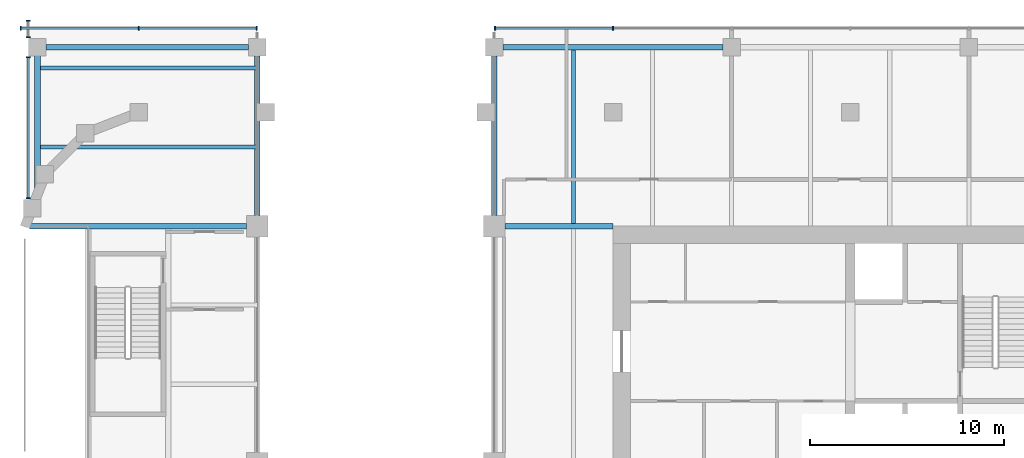
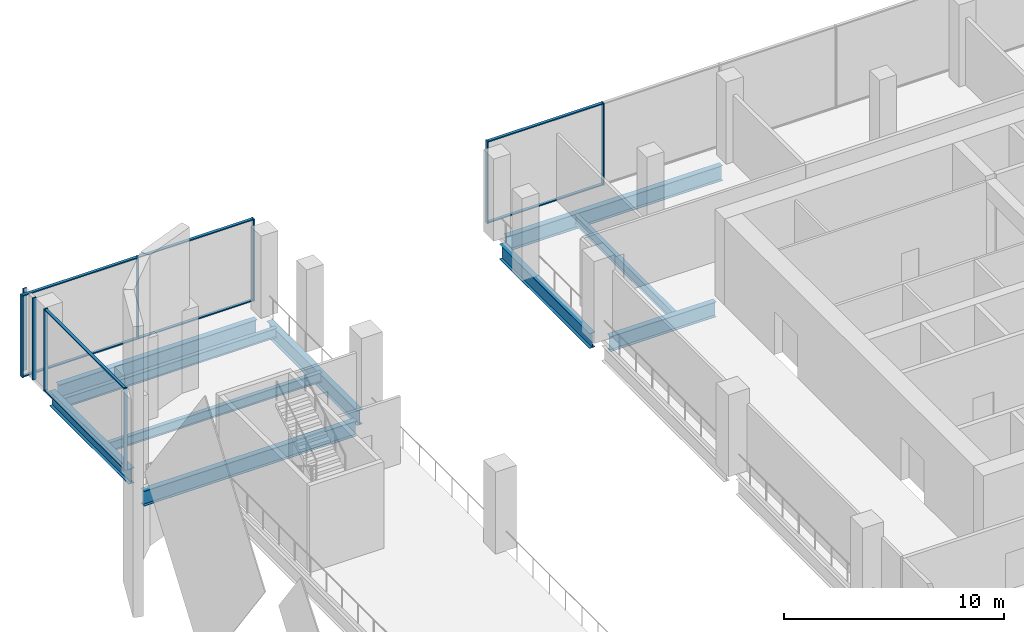
# One storey, part 4 of 33: 17 members, 10 beams, 4 elements without a shape of their own.
"""IFC4 building model written with IfcOpenShell, lengths in metres."""

from ifc_helpers import new_model, si_unit, direction, frame, origin, origin_2d, place, context, subcontext, project, spatial, rectangle, i_section, extrude, material, material_profile, profile_set, type_object, element, aggregate, save


model = new_model("IFC4")

# Units and contexts
model_context = context("Model", 3, precision=1e-05, world=origin(), true_north=direction((0.0, 1.0)))
body_context = subcontext(model_context, "Body", "Model", "MODEL_VIEW")
ifc_project = project(units=[si_unit("LENGTHUNIT", "METRE"), si_unit("AREAUNIT", "SQUARE_METRE"), si_unit("VOLUMEUNIT", "CUBIC_METRE"), si_unit("PLANEANGLEUNIT", "RADIAN"), si_unit("MASSUNIT", "GRAM", prefix="KILO")], contexts=[model_context])

# Site, building, storey
site_placement = place(None, origin())
site = spatial("IfcSite", under=ifc_project, at=site_placement, CompositionType="ELEMENT")
building_placement = place(site_placement, origin())
building = spatial("IfcBuilding", under=site, at=building_placement, Name="Tessera Gate Towers", CompositionType="ELEMENT")
storey_placement = place(building_placement, frame((0.0, 0.0, 7.199951171875)))
storey = spatial("IfcBuildingStorey", under=building, at=storey_placement, Name="L01", CompositionType="ELEMENT", Elevation=7.199951171875)

# Beams
ifc_material_1 = material(Name="Steel 350W", Category="steel")
ifc_material_profile_1 = material_profile(ifc_material_1, i_section(OverallWidth=0.2919921875, OverallDepth=0.8349609375, WebThickness=0.013916015625, FlangeThickness=0.018798828125, at=origin_2d()), Name="W840x176")
ifc_profile_set_1 = profile_set([ifc_material_profile_1], Name="Steel 350W")
beam_type_1 = type_object("IfcBeamType", Name="FLOOR GIRDER W840x176", PredefinedType="BEAM", material=ifc_profile_set_1)
beam_1_placement = place(storey_placement, frame((0.89990234375, 50.5, -0.66748046875), z_axis=(0.0, 1.0, 0.0), x_axis=(-1.0, 0.0, 0.0)))
element("IfcBeam", 1, at=beam_1_placement, inside=storey, type_object=beam_type_1, Name="PD-GD-L01-197", PredefinedType="BEAM", context=body_context, shape_type="SweptSolid", body=[
    extrude(i_section(OverallWidth=0.2919921875, OverallDepth=0.8349609375, WebThickness=0.013916015625, FlangeThickness=0.018798828125, at=origin_2d()), origin(), (0.0, 0.0, 1.0), 7.199951171875),
])
beam_2_placement = place(storey_placement, frame((0.4990234375, 48.800048828125, -0.66748046875), z_axis=(1.0, 0.0, 0.0), x_axis=(0.0, 1.0, 0.0)))
element("IfcBeam", 2, at=beam_2_placement, inside=storey, type_object=beam_type_1, Name="PD-GD-L01-220", PredefinedType="BEAM", context=body_context, shape_type="SweptSolid", body=[
    extrude(i_section(OverallWidth=0.2919921875, OverallDepth=0.8349609375, WebThickness=0.013916015625, FlangeThickness=0.018798828125, at=origin_2d()), origin(), (0.0, 0.0, 1.0), 11.15087890625),
])
beam_3_placement = place(storey_placement, frame((24.949951171875, 48.800048828125, -0.66748046875), z_axis=(1.0, 0.0, 0.0), x_axis=(0.0, 1.0, 0.0)))
element("IfcBeam", 3, at=beam_3_placement, inside=storey, type_object=beam_type_1, Name="PD-GD-L01-221", PredefinedType="BEAM", context=body_context, shape_type="SweptSolid", body=[
    extrude(i_section(OverallWidth=0.2919921875, OverallDepth=0.8349609375, WebThickness=0.013916015625, FlangeThickness=0.018798828125, at=origin_2d()), origin(), (0.0, 0.0, 1.0), 5.549072265625),
])
beam_4_placement = place(storey_placement, frame((1.35009765625, 58.0, -0.66748046875), z_axis=(1.0, 0.0, 0.0), x_axis=(0.0, 1.0, 0.0)))
element("IfcBeam", 4, at=beam_4_placement, inside=storey, type_object=beam_type_1, Name="PD-GD-L01-227", PredefinedType="BEAM", context=body_context, shape_type="SweptSolid", body=[
    extrude(i_section(OverallWidth=0.2919921875, OverallDepth=0.8349609375, WebThickness=0.013916015625, FlangeThickness=0.018798828125, at=origin_2d()), origin(), (0.0, 0.0, 1.0), 10.39990234375),
])
beam_5_placement = place(storey_placement, frame((24.85009765625, 58.0, -0.66748046875), z_axis=(1.0, 0.0, 0.0), x_axis=(0.0, 1.0, 0.0)))
element("IfcBeam", 5, at=beam_5_placement, inside=storey, type_object=beam_type_1, Name="PD-GD-L01-228", PredefinedType="BEAM", context=body_context, shape_type="SweptSolid", body=[
    extrude(i_section(OverallWidth=0.2919921875, OverallDepth=0.8349609375, WebThickness=0.013916015625, FlangeThickness=0.018798828125, at=origin_2d()), origin(), (0.0, 0.0, 1.0), 11.2998046875),
])
for number, where, z_axis, x_axis, name in (
    (6, (12.199951171875, 49.35009765625, -0.66748046875), (0.0, 1.0, 0.0), (-1.0, 0.0, 0.0), "PD-GD-L01-238"),
    (7, (24.39990234375, 49.35009765625, -0.66748046875), (0.0, 1.0, 0.0), (-1.0, 0.0, 0.0), "PD-GD-L01-242"),
):
    element("IfcBeam", number, at=place(storey_placement, frame(where, z_axis=z_axis, x_axis=x_axis)), inside=storey, type_object=beam_type_1, Name=name, PredefinedType="BEAM", context=body_context, shape_type="SweptSolid", body=[
        extrude(i_section(OverallWidth=0.2919921875, OverallDepth=0.8349609375, WebThickness=0.013916015625, FlangeThickness=0.018798828125, at=origin_2d()), origin(), (0.0, 0.0, 1.0), 8.199951171875),
    ])
ifc_material_2 = material(Name="Steel 350W", Category="steel")
ifc_material_profile_2 = material_profile(ifc_material_2, i_section(OverallWidth=0.208984375, OverallDepth=0.528076171875, WebThickness=0.009521484375, FlangeThickness=0.01318359375, at=origin_2d()), Name="W530x82")
ifc_profile_set_2 = profile_set([ifc_material_profile_2], Name="Steel 350W")
beam_type_2 = type_object("IfcBeamType", Name="FLOOR SECONDARY W530x82", PredefinedType="BEAM", material=ifc_profile_set_2)
beam_6_placement = place(storey_placement, frame((28.466796875, 48.946044921875, -0.513916015625), z_axis=(0.0, 1.0, 0.0), x_axis=(-1.0, 0.0, 0.0)))
element("IfcBeam", 8, at=beam_6_placement, inside=storey, type_object=beam_type_2, Name="PD-BM-L01-275", PredefinedType="BEAM", context=body_context, shape_type="SweptSolid", body=[
    extrude(i_section(OverallWidth=0.208984375, OverallDepth=0.528076171875, WebThickness=0.009521484375, FlangeThickness=0.01318359375, at=origin_2d()), origin(), (0.0, 0.0, 1.0), 8.907958984375),
])
for number, where, z_axis, x_axis, name in (
    (9, (1.0458984375, 52.86669921875, -0.513916015625), (1.0, 0.0, 0.0), (0.0, 1.0, 0.0), "PD-BM-L01-361"),
    (10, (1.0458984375, 56.933349609375, -0.513916015625), (1.0, 0.0, 0.0), (0.0, 1.0, 0.0), "PD-BM-L01-362"),
):
    element("IfcBeam", number, at=place(storey_placement, frame(where, z_axis=z_axis, x_axis=x_axis)), inside=storey, type_object=beam_type_2, Name=name, PredefinedType="BEAM", context=body_context, shape_type="SweptSolid", body=[
        extrude(i_section(OverallWidth=0.208984375, OverallDepth=0.528076171875, WebThickness=0.009521484375, FlangeThickness=0.01318359375, at=origin_2d()), origin(), (0.0, 0.0, 1.0), 11.154052734375),
    ])

# Curtain wall, members
ifc_material_3 = material(Name="Aluminium frame", Category="aluminium")
curtain_wall_type = type_object("IfcCurtainWallType", Name="CW-S1 podium storefront", PredefinedType="NOTDEFINED", material=ifc_material_3)
curtain_wall_1_placement = place(storey_placement, origin())
curtain_wall_1 = element("IfcCurtainWall", 11, at=curtain_wall_1_placement, inside=storey, type_object=curtain_wall_type, Name="Curtain wall podium storefront 0209", PredefinedType="NOTDEFINED")
ifc_material_4 = material(Name="Aluminium frame", Category="aluminium")
ifc_material_profile_3 = material_profile(ifc_material_4, rectangle(XDim=0.06005859375, YDim=0.199951171875, at=origin_2d()), Name="AL 60x200")
ifc_profile_set_3 = profile_set([ifc_material_profile_3], Name="Aluminium frame")
member_type_1 = type_object("IfcMemberType", Name="MU-S1 mullion 60x200", PredefinedType="MULLION", material=ifc_profile_set_3)
member_1_placement = place(storey_placement, frame((30.5, 58.97509765625, 0.0), z_axis=(0.0, 0.0, 1.0), x_axis=(-1.0, 0.0, 0.0)))
member_1 = element("IfcMember", 12, at=member_1_placement, type_object=member_type_1, Name="PD-CW1-0209 mullion 6", PredefinedType="MULLION", context=body_context, shape_type="SweptSolid", body=[
    extrude(rectangle(XDim=0.06005859375, YDim=0.199951171875, at=origin_2d()), origin(), (0.0, 0.0, 1.0), 4.550048828125),
])
member_2_placement = place(storey_placement, frame((24.429931640625, 58.97509765625, 0.0), z_axis=(0.0, 0.0, 1.0), x_axis=(-1.0, 0.0, 0.0)))
member_2 = element("IfcMember", 13, at=member_2_placement, type_object=member_type_1, Name="PD-CW1-0209 mullion 7", PredefinedType="MULLION", context=body_context, shape_type="SweptSolid", body=[
    extrude(rectangle(XDim=0.06005859375, YDim=0.199951171875, at=origin_2d()), origin(), (0.0, 0.0, 1.0), 4.550048828125),
])

curtain_wall_2_placement = place(storey_placement, origin())
curtain_wall_2 = element("IfcCurtainWall", 14, at=curtain_wall_2_placement, inside=storey, type_object=curtain_wall_type, Name="Curtain wall podium storefront 0210", PredefinedType="NOTDEFINED")
member_3_placement = place(storey_placement, frame((12.169921875, 58.97509765625, 0.0), z_axis=(0.0, 0.0, 1.0), x_axis=(-1.0, 0.0, 0.0)))
member_3 = element("IfcMember", 15, at=member_3_placement, type_object=member_type_1, Name="PD-CW1-0210 mullion 1", PredefinedType="MULLION", context=body_context, shape_type="SweptSolid", body=[
    extrude(rectangle(XDim=0.06005859375, YDim=0.199951171875, at=origin_2d()), origin(), (0.0, 0.0, 1.0), 4.550048828125),
])
member_4_placement = place(storey_placement, frame((6.10009765625, 58.97509765625, 0.0), z_axis=(0.0, 0.0, 1.0), x_axis=(-1.0, 0.0, 0.0)))
member_4 = element("IfcMember", 16, at=member_4_placement, type_object=member_type_1, Name="PD-CW1-0210 mullion 2", PredefinedType="MULLION", context=body_context, shape_type="SweptSolid", body=[
    extrude(rectangle(XDim=0.06005859375, YDim=0.199951171875, at=origin_2d()), origin(), (0.0, 0.0, 1.0), 4.550048828125),
])
member_5_placement = place(storey_placement, frame((0.030029296875, 58.97509765625, 0.0), z_axis=(0.0, 0.0, 1.0), x_axis=(-1.0, 0.0, 0.0)))
member_5 = element("IfcMember", 17, at=member_5_placement, type_object=member_type_1, Name="PD-CW1-0210 mullion 3", PredefinedType="MULLION", context=body_context, shape_type="SweptSolid", body=[
    extrude(rectangle(XDim=0.06005859375, YDim=0.199951171875, at=origin_2d()), origin(), (0.0, 0.0, 1.0), 4.550048828125),
])

curtain_wall_3_placement = place(storey_placement, origin())
curtain_wall_3 = element("IfcCurtainWall", 18, at=curtain_wall_3_placement, inside=storey, type_object=curtain_wall_type, Name="Curtain wall podium storefront 0214", PredefinedType="NOTDEFINED")
member_6_placement = place(storey_placement, frame((0.425048828125, 59.3701171875, 0.0), z_axis=(0.0, 0.0, 1.0), x_axis=(0.0, -1.0, 0.0)))
member_6 = element("IfcMember", 19, at=member_6_placement, type_object=member_type_1, Name="PD-CW1-0214 mullion 1", PredefinedType="MULLION", context=body_context, shape_type="SweptSolid", body=[
    extrude(rectangle(XDim=0.06005859375, YDim=0.199951171875, at=origin_2d()), origin(), (0.0, 0.0, 1.0), 4.550048828125),
])
member_7_placement = place(storey_placement, frame((0.425048828125, 58.510009765625, 0.0), z_axis=(0.0, 0.0, 1.0), x_axis=(0.0, -1.0, 0.0)))
member_7 = element("IfcMember", 20, at=member_7_placement, type_object=member_type_1, Name="PD-CW1-0214 mullion 2", PredefinedType="MULLION", context=body_context, shape_type="SweptSolid", body=[
    extrude(rectangle(XDim=0.06005859375, YDim=0.199951171875, at=origin_2d()), origin(), (0.0, 0.0, 1.0), 4.550048828125),
])
aggregate(curtain_wall_3, [member_6, member_7])

curtain_wall_4_placement = place(storey_placement, origin())
curtain_wall_4 = element("IfcCurtainWall", 21, at=curtain_wall_4_placement, inside=storey, type_object=curtain_wall_type, Name="Curtain wall podium storefront 0215", PredefinedType="NOTDEFINED")
member_8_placement = place(storey_placement, frame((0.425048828125, 57.489990234375, 0.0), z_axis=(0.0, 0.0, 1.0), x_axis=(0.0, -1.0, 0.0)))
member_8 = element("IfcMember", 22, at=member_8_placement, type_object=member_type_1, Name="PD-CW1-0215 mullion 1", PredefinedType="MULLION", context=body_context, shape_type="SweptSolid", body=[
    extrude(rectangle(XDim=0.06005859375, YDim=0.199951171875, at=origin_2d()), origin(), (0.0, 0.0, 1.0), 4.550048828125),
])
member_9_placement = place(storey_placement, frame((0.425048828125, 50.22998046875, 0.0), z_axis=(0.0, 0.0, 1.0), x_axis=(0.0, -1.0, 0.0)))
member_9 = element("IfcMember", 23, at=member_9_placement, type_object=member_type_1, Name="PD-CW1-0215 mullion 2", PredefinedType="MULLION", context=body_context, shape_type="SweptSolid", body=[
    extrude(rectangle(XDim=0.06005859375, YDim=0.199951171875, at=origin_2d()), origin(), (0.0, 0.0, 1.0), 4.550048828125),
])

# Member
ifc_material_5 = material(Name="Aluminium frame", Category="aluminium")
ifc_material_profile_4 = material_profile(ifc_material_5, rectangle(XDim=0.14990234375, YDim=0.06005859375, at=origin_2d()), Name="AL 60x150")
ifc_profile_set_4 = profile_set([ifc_material_profile_4], Name="Aluminium frame")
member_type_2 = type_object("IfcMemberType", Name="TR-S1 transom 60x150", PredefinedType="USERDEFINED", material=ifc_profile_set_4)
member_10_placement = place(storey_placement, frame((30.469970703125, 58.97509765625, 0.030029296875), z_axis=(-1.0, 0.0, 0.0), x_axis=(0.0, -1.0, 0.0)))
member_10 = element("IfcMember", 24, at=member_10_placement, type_object=member_type_2, Name="PD-CW1-0209 transom 6.1", ObjectType="TRANSOM", PredefinedType="USERDEFINED", context=body_context, shape_type="SweptSolid", body=[
    extrude(rectangle(XDim=0.14990234375, YDim=0.06005859375, at=origin_2d()), origin(), (0.0, 0.0, 1.0), 6.010009765625),
])

member_11_placement = place(storey_placement, frame((30.469970703125, 58.97509765625, 4.52001953125), z_axis=(-1.0, 0.0, 0.0), x_axis=(0.0, -1.0, 0.0)))
member_11 = element("IfcMember", 25, at=member_11_placement, type_object=member_type_2, Name="PD-CW1-0209 transom 6.2", ObjectType="TRANSOM", PredefinedType="USERDEFINED", context=body_context, shape_type="SweptSolid", body=[
    extrude(rectangle(XDim=0.14990234375, YDim=0.06005859375, at=origin_2d()), origin(), (0.0, 0.0, 1.0), 6.010009765625),
])

aggregate(curtain_wall_1, [member_1, member_2, member_10, member_11])

member_12_placement = place(storey_placement, frame((12.139892578125, 58.97509765625, 0.030029296875), z_axis=(-1.0, 0.0, 0.0), x_axis=(0.0, -1.0, 0.0)))
member_12 = element("IfcMember", 26, at=member_12_placement, type_object=member_type_2, Name="PD-CW1-0210 transom 1.1", ObjectType="TRANSOM", PredefinedType="USERDEFINED", context=body_context, shape_type="SweptSolid", body=[
    extrude(rectangle(XDim=0.14990234375, YDim=0.06005859375, at=origin_2d()), origin(), (0.0, 0.0, 1.0), 6.010009765625),
])

member_13_placement = place(storey_placement, frame((12.139892578125, 58.97509765625, 4.52001953125), z_axis=(-1.0, 0.0, 0.0), x_axis=(0.0, -1.0, 0.0)))
member_13 = element("IfcMember", 27, at=member_13_placement, type_object=member_type_2, Name="PD-CW1-0210 transom 1.2", ObjectType="TRANSOM", PredefinedType="USERDEFINED", context=body_context, shape_type="SweptSolid", body=[
    extrude(rectangle(XDim=0.14990234375, YDim=0.06005859375, at=origin_2d()), origin(), (0.0, 0.0, 1.0), 6.010009765625),
])

member_14_placement = place(storey_placement, frame((6.070068359375, 58.97509765625, 0.030029296875), z_axis=(-1.0, 0.0, 0.0), x_axis=(0.0, -1.0, 0.0)))
member_14 = element("IfcMember", 28, at=member_14_placement, type_object=member_type_2, Name="PD-CW1-0210 transom 2.1", ObjectType="TRANSOM", PredefinedType="USERDEFINED", context=body_context, shape_type="SweptSolid", body=[
    extrude(rectangle(XDim=0.14990234375, YDim=0.06005859375, at=origin_2d()), origin(), (0.0, 0.0, 1.0), 6.010009765625),
])

member_15_placement = place(storey_placement, frame((6.070068359375, 58.97509765625, 4.52001953125), z_axis=(-1.0, 0.0, 0.0), x_axis=(0.0, -1.0, 0.0)))
member_15 = element("IfcMember", 29, at=member_15_placement, type_object=member_type_2, Name="PD-CW1-0210 transom 2.2", ObjectType="TRANSOM", PredefinedType="USERDEFINED", context=body_context, shape_type="SweptSolid", body=[
    extrude(rectangle(XDim=0.14990234375, YDim=0.06005859375, at=origin_2d()), origin(), (0.0, 0.0, 1.0), 6.010009765625),
])

aggregate(curtain_wall_2, [member_3, member_4, member_5, member_12, member_13, member_14, member_15])

member_16_placement = place(storey_placement, frame((0.425048828125, 57.4599609375, 0.030029296875), z_axis=(0.0, -1.0, 0.0), x_axis=(1.0, 0.0, 0.0)))
member_16 = element("IfcMember", 30, at=member_16_placement, type_object=member_type_2, Name="PD-CW1-0215 transom 1.1", ObjectType="TRANSOM", PredefinedType="USERDEFINED", context=body_context, shape_type="SweptSolid", body=[
    extrude(rectangle(XDim=0.14990234375, YDim=0.06005859375, at=origin_2d()), origin(), (0.0, 0.0, 1.0), 7.199951171875),
])

member_17_placement = place(storey_placement, frame((0.425048828125, 57.4599609375, 4.52001953125), z_axis=(0.0, -1.0, 0.0), x_axis=(1.0, 0.0, 0.0)))
member_17 = element("IfcMember", 31, at=member_17_placement, type_object=member_type_2, Name="PD-CW1-0215 transom 1.2", ObjectType="TRANSOM", PredefinedType="USERDEFINED", context=body_context, shape_type="SweptSolid", body=[
    extrude(rectangle(XDim=0.14990234375, YDim=0.06005859375, at=origin_2d()), origin(), (0.0, 0.0, 1.0), 7.199951171875),
])

aggregate(curtain_wall_4, [member_8, member_9, member_16, member_17])

save(model, "model.ifc")
